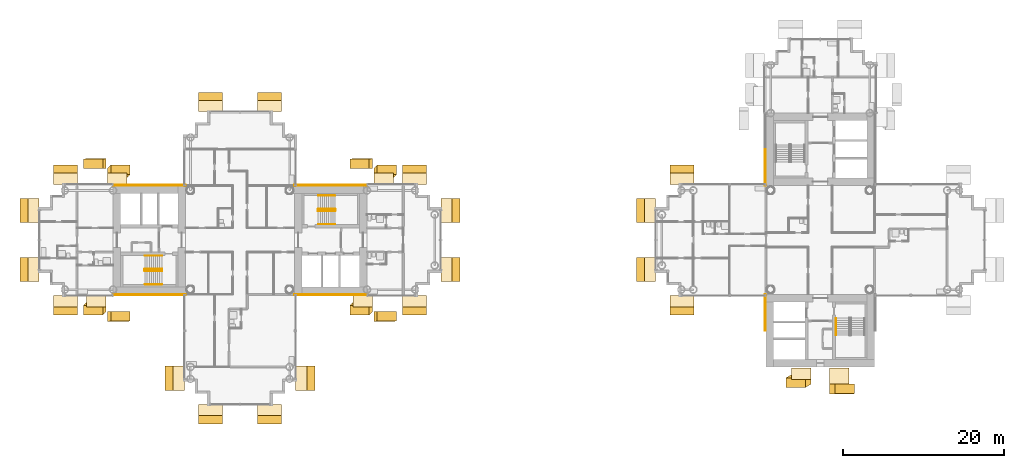
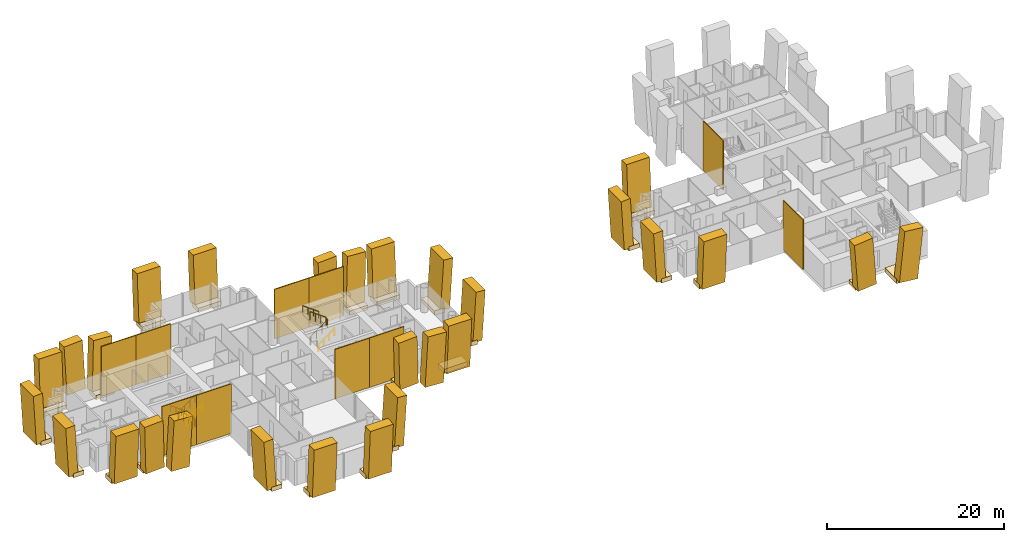
# One storey, part 19 of 21: 62 coverings, 7 railings.
"""IFC4 building model written with IfcOpenShell, lengths in metres."""

from ifc_helpers import new_model, si_unit, direction, frame, origin, origin_2d, place, context, subcontext, project, spatial, rectangle, circle, extrude, material, layer, layer_set, material_profile, profile_set, type_object, element, save


model = new_model("IFC4")

# Units and contexts
model_context = context("Model", 3, precision=1e-05, world=origin(), true_north=direction((0.0, 1.0)))
body_context = subcontext(model_context, "Body", "Model", "MODEL_VIEW")
ifc_project = project(units=[si_unit("LENGTHUNIT", "METRE"), si_unit("AREAUNIT", "SQUARE_METRE"), si_unit("VOLUMEUNIT", "CUBIC_METRE"), si_unit("PLANEANGLEUNIT", "RADIAN"), si_unit("MASSUNIT", "GRAM", prefix="KILO")], contexts=[model_context])

# Site, building, storey
site_placement = place(None, origin())
site = spatial("IfcSite", under=ifc_project, at=site_placement, CompositionType="ELEMENT")
building_placement = place(site_placement, origin())
building = spatial("IfcBuilding", under=site, at=building_placement, Name="Ipe Terrace Towers", CompositionType="ELEMENT")
storey_placement = place(building_placement, frame((0.0, 0.0, 114.0)))
storey = spatial("IfcBuildingStorey", under=building, at=storey_placement, Name="L31", CompositionType="ELEMENT", Elevation=114.0)

# Coverings
ifc_material_1 = material(Name="Concrete C50/60 precast, buff finish", Category="concrete")
ifc_layer = layer(ifc_material_1, 0.1201171875)
ifc_layer_set = layer_set([ifc_layer], Name="STONE CORE CLADDING 120")
covering_type_1 = type_object("IfcCoveringType", Name="STONE CORE CLADDING 120", PredefinedType="CLADDING", material=ifc_layer_set)
covering_1_placement = place(storey_placement, frame((-49.5009765625, -6.81005859375, 0.0), z_axis=(0.0, 0.0, 1.0), x_axis=(1.0, 0.0, 0.0)))
element("IfcCovering", 1, at=covering_1_placement, inside=storey, type_object=covering_type_1, Name="stone core cladding", PredefinedType="CLADDING", context=body_context, shape_type="SweptSolid", body=[
    extrude(rectangle(XDim=4.5009765625, YDim=0.1201171875, at=origin_2d()), origin(), (0.0, 0.0, 1.0), 6.800048828125),
])
covering_2_placement = place(storey_placement, frame((-45.0, -6.81005859375, 0.0), z_axis=(0.0, 0.0, 1.0), x_axis=(1.0, 0.0, 0.0)))
element("IfcCovering", 2, at=covering_2_placement, inside=storey, type_object=covering_type_1, Name="stone core cladding", PredefinedType="CLADDING", context=body_context, shape_type="SweptSolid", body=[
    extrude(rectangle(XDim=4.5, YDim=0.1201171875, at=origin_2d()), origin(), (0.0, 0.0, 1.0), 6.800048828125),
])
covering_3_placement = place(storey_placement, frame((-49.5009765625, 6.81005859375, 0.0), z_axis=(0.0, 0.0, 1.0), x_axis=(-1.0, 0.0, 0.0)))
element("IfcCovering", 3, at=covering_3_placement, inside=storey, type_object=covering_type_1, Name="stone core cladding", PredefinedType="CLADDING", context=body_context, shape_type="SweptSolid", body=[
    extrude(rectangle(XDim=4.5009765625, YDim=0.1201171875, at=origin_2d()), origin(), (0.0, 0.0, 1.0), 6.800048828125),
])
for number, where, z_axis, x_axis, name in (
    (4, (-45.0, 6.81005859375, 0.0), (0.0, 0.0, 1.0), (-1.0, 0.0, 0.0), "stone core cladding"),
    (5, (-27.0, -6.81005859375, 0.0), (0.0, 0.0, 1.0), (1.0, 0.0, 0.0), "stone core cladding"),
):
    element("IfcCovering", number, at=place(storey_placement, frame(where, z_axis=z_axis, x_axis=x_axis)), inside=storey, type_object=covering_type_1, Name=name, PredefinedType="CLADDING", context=body_context, shape_type="SweptSolid", body=[
        extrude(rectangle(XDim=4.5, YDim=0.1201171875, at=origin_2d()), origin(), (0.0, 0.0, 1.0), 6.800048828125),
    ])
covering_4_placement = place(storey_placement, frame((-22.4990234375, -6.81005859375, 0.0), z_axis=(0.0, 0.0, 1.0), x_axis=(1.0, 0.0, 0.0)))
element("IfcCovering", 6, at=covering_4_placement, inside=storey, type_object=covering_type_1, Name="stone core cladding", PredefinedType="CLADDING", context=body_context, shape_type="SweptSolid", body=[
    extrude(rectangle(XDim=4.5009765625, YDim=0.1201171875, at=origin_2d()), origin(), (0.0, 0.0, 1.0), 6.800048828125),
])
covering_5_placement = place(storey_placement, frame((-27.0, 6.81005859375, 0.0), z_axis=(0.0, 0.0, 1.0), x_axis=(-1.0, 0.0, 0.0)))
element("IfcCovering", 7, at=covering_5_placement, inside=storey, type_object=covering_type_1, Name="stone core cladding", PredefinedType="CLADDING", context=body_context, shape_type="SweptSolid", body=[
    extrude(rectangle(XDim=4.5, YDim=0.1201171875, at=origin_2d()), origin(), (0.0, 0.0, 1.0), 6.800048828125),
])
covering_6_placement = place(storey_placement, frame((-22.4990234375, 6.81005859375, 0.0), z_axis=(0.0, 0.0, 1.0), x_axis=(-1.0, 0.0, 0.0)))
element("IfcCovering", 8, at=covering_6_placement, inside=storey, type_object=covering_type_1, Name="stone core cladding", PredefinedType="CLADDING", context=body_context, shape_type="SweptSolid", body=[
    extrude(rectangle(XDim=4.5009765625, YDim=0.1201171875, at=origin_2d()), origin(), (0.0, 0.0, 1.0), 6.800048828125),
])
for number, where, z_axis, x_axis, name in (
    (9, (29.18994140625, -9.0, 0.0), (0.0, 0.0, 1.0), (0.0, -1.0, 0.0), "stone core cladding"),
    (10, (29.18994140625, 9.0, 0.0), (0.0, 0.0, 1.0), (0.0, -1.0, 0.0), "stone core cladding"),
):
    element("IfcCovering", number, at=place(storey_placement, frame(where, z_axis=z_axis, x_axis=x_axis)), inside=storey, type_object=covering_type_1, Name=name, PredefinedType="CLADDING", context=body_context, shape_type="SweptSolid", body=[
        extrude(rectangle(XDim=4.5, YDim=0.1201171875, at=origin_2d()), origin(), (0.0, 0.0, 1.0), 6.800048828125),
    ])
ifc_material_2 = material(Name="Concrete C50/60 precast, buff finish", Category="concrete")
ifc_material_profile_1 = material_profile(ifc_material_2, rectangle(XDim=2.39990234375, YDim=1.199951171875, at=origin_2d()), Name="STONE FIN 2400 x 1200")
ifc_profile_set_1 = profile_set([ifc_material_profile_1], Name="Concrete C50/60 precast, buff finish")
covering_type_2 = type_object("IfcCoveringType", Name="STONE FIN 2400 x 1200", PredefinedType="USERDEFINED", material=ifc_profile_set_1)
covering_7_placement = place(storey_placement, frame((-18.180908203125, -9.488037109375, 0.0), z_axis=(0.057992818801, 0.00189964116, 0.998315192878), x_axis=(0.99831700024, -0.000110351273, -0.057992713811)))
element("IfcCovering", 11, at=covering_7_placement, inside=storey, type_object=covering_type_2, Name="stone fin", ObjectType="FIN", PredefinedType="USERDEFINED", context=body_context, shape_type="SweptSolid", body=[
    extrude(rectangle(XDim=2.39990234375, YDim=1.199951171875, at=origin_2d()), origin(), (0.0, 0.0, 1.0), 6.8115234375),
])
for number, where, z_axis, x_axis, name in (
    (12, (-18.180908203125, 8.2880859375, 0.0), (0.057886195725, 0.060640977599, 0.996479733954), (-0.998323188324, 0.003516171448, 0.057779305931), "stone fin"),
    (13, (-20.76904296875, -8.2880859375, 0.0), (-0.057886195725, -0.060640977599, 0.996479733954), (0.998323188324, -0.003516171448, 0.057779305931), "stone fin"),
):
    element("IfcCovering", number, at=place(storey_placement, frame(where, z_axis=z_axis, x_axis=x_axis)), inside=storey, type_object=covering_type_2, Name=name, ObjectType="FIN", PredefinedType="USERDEFINED", context=body_context, shape_type="SweptSolid", body=[
        extrude(rectangle(XDim=2.39990234375, YDim=1.199951171875, at=origin_2d()), origin(), (0.0, 0.0, 1.0), 6.823974609375),
    ])
for number, where, z_axis, x_axis, name in (
    (14, (-20.76904296875, 9.488037109375, 0.0), (-0.057992818801, -0.00189964116, 0.998315192878), (-0.99831700024, 0.000110351273, -0.057992713811), "stone fin"),
    (15, (-51.23095703125, -9.488037109375, 0.0), (0.057992818801, 0.00189964116, 0.998315192878), (0.99831700024, -0.000110351273, -0.057992713811), "stone fin"),
):
    element("IfcCovering", number, at=place(storey_placement, frame(where, z_axis=z_axis, x_axis=x_axis)), inside=storey, type_object=covering_type_2, Name=name, ObjectType="FIN", PredefinedType="USERDEFINED", context=body_context, shape_type="SweptSolid", body=[
        extrude(rectangle(XDim=2.39990234375, YDim=1.199951171875, at=origin_2d()), origin(), (0.0, 0.0, 1.0), 6.8115234375),
    ])
for number, where, z_axis, x_axis, name in (
    (16, (-51.23095703125, 8.2880859375, 0.0), (0.057886195725, 0.060640977599, 0.996479733954), (-0.998323188324, 0.003516171448, 0.057779305931), "stone fin"),
    (17, (-53.819091796875, -8.2880859375, 0.0), (-0.057886195725, -0.060640977599, 0.996479733954), (0.998323188324, -0.003516171448, 0.057779305931), "stone fin"),
):
    element("IfcCovering", number, at=place(storey_placement, frame(where, z_axis=z_axis, x_axis=x_axis)), inside=storey, type_object=covering_type_2, Name=name, ObjectType="FIN", PredefinedType="USERDEFINED", context=body_context, shape_type="SweptSolid", body=[
        extrude(rectangle(XDim=2.39990234375, YDim=1.199951171875, at=origin_2d()), origin(), (0.0, 0.0, 1.0), 6.823974609375),
    ])
covering_8_placement = place(storey_placement, frame((-53.819091796875, 9.488037109375, 0.0), z_axis=(-0.057992818801, -0.00189964116, 0.998315192878), x_axis=(-0.99831700024, 0.000110351273, -0.057992713811)))
element("IfcCovering", 18, at=covering_8_placement, inside=storey, type_object=covering_type_2, Name="stone fin", ObjectType="FIN", PredefinedType="USERDEFINED", context=body_context, shape_type="SweptSolid", body=[
    extrude(rectangle(XDim=2.39990234375, YDim=1.199951171875, at=origin_2d()), origin(), (0.0, 0.0, 1.0), 6.8115234375),
])
covering_9_placement = place(storey_placement, frame((33.659912109375, -17.2880859375, 0.0), z_axis=(-0.104215280631, -0.060412072732, 0.992718266555), x_axis=(0.994554762335, -0.006330331276, 0.104022841832)))
element("IfcCovering", 19, at=covering_9_placement, inside=storey, type_object=covering_type_2, Name="stone fin", ObjectType="FIN", PredefinedType="USERDEFINED", context=body_context, shape_type="SweptSolid", body=[
    extrude(rectangle(XDim=2.39990234375, YDim=1.199951171875, at=origin_2d()), origin(), (0.0, 0.0, 1.0), 6.849853515625),
])
covering_10_placement = place(storey_placement, frame((38.340087890625, -18.488037109375, 0.0), z_axis=(0.104405788816, 0.001892444189, 0.994532980809), x_axis=(0.994534781323, -0.000198667893, -0.104405599799)))
element("IfcCovering", 20, at=covering_10_placement, inside=storey, type_object=covering_type_2, Name="stone fin", ObjectType="FIN", PredefinedType="USERDEFINED", context=body_context, shape_type="SweptSolid", body=[
    extrude(rectangle(XDim=2.39990234375, YDim=1.199951171875, at=origin_2d()), origin(), (0.0, 0.0, 1.0), 6.83740234375),
])
ifc_material_3 = material(Name="Concrete C50/60 precast, buff finish", Category="concrete")
ifc_material_profile_2 = material_profile(ifc_material_3, rectangle(XDim=3.0, YDim=1.199951171875, at=origin_2d()), Name="STONE FIN CORNER 3000 x 1200")
ifc_profile_set_2 = profile_set([ifc_material_profile_2], Name="Concrete C50/60 precast, buff finish")
covering_type_3 = type_object("IfcCoveringType", Name="STONE FIN CORNER 3000 x 1200", PredefinedType="USERDEFINED", material=ifc_profile_set_2)
for number, where, z_axis, x_axis, name in (
    (21, (-9.7119140625, -3.64990234375, 0.0), (0.060742831888, 0.0, 0.998153449312), (0.0, 1.0, 0.0), "stone fin"),
    (22, (-9.7119140625, 3.64990234375, 0.0), (0.060742831888, 0.0, 0.998153449312), (0.0, 1.0, 0.0), "stone fin"),
    (23, (-14.35009765625, -8.2880859375, 0.0), (0.0, -0.060742831888, 0.998153449312), (1.0, 0.0, 0.0), "stone fin"),
    (24, (-14.35009765625, 8.2880859375, 0.0), (0.0, 0.060742831888, 0.998153449312), (-1.0, 0.0, 0.0), "stone fin"),
    (25, (-27.7119140625, -17.14990234375, 0.0), (0.060742831888, 0.0, 0.998153449312), (0.0, 1.0, 0.0), "stone fin"),
    (26, (-32.35009765625, -21.7880859375, 0.0), (0.0, -0.060742831888, 0.998153449312), (1.0, 0.0, 0.0), "stone fin"),
    (27, (-32.35009765625, 17.2880859375, 0.0), (0.0, 0.060742831888, 0.998153449312), (-1.0, 0.0, 0.0), "stone fin"),
    (28, (-39.64990234375, -21.7880859375, 0.0), (0.0, -0.060742831888, 0.998153449312), (1.0, 0.0, 0.0), "stone fin"),
    (29, (-39.64990234375, 17.2880859375, 0.0), (0.0, 0.060742831888, 0.998153449312), (-1.0, 0.0, 0.0), "stone fin"),
    (30, (-44.2880859375, -17.14990234375, 0.0), (-0.060742831888, 0.0, 0.998153449312), (0.0, -1.0, 0.0), "stone fin"),
    (31, (-57.64990234375, -8.2880859375, 0.0), (0.0, -0.060742831888, 0.998153449312), (1.0, 0.0, 0.0), "stone fin"),
    (32, (-57.64990234375, 8.2880859375, 0.0), (0.0, 0.060742831888, 0.998153449312), (-1.0, 0.0, 0.0), "stone fin"),
    (33, (-62.2880859375, -3.64990234375, 0.0), (-0.060742831888, 0.0, 0.998153449312), (0.0, -1.0, 0.0), "stone fin"),
    (34, (-62.2880859375, 3.64990234375, 0.0), (-0.060742831888, 0.0, 0.998153449312), (0.0, -1.0, 0.0), "stone fin"),
    (35, (14.2119140625, -3.64990234375, 0.0), (-0.060742831888, 0.0, 0.998153449312), (0.0, -1.0, 0.0), "stone fin"),
    (36, (14.2119140625, 3.64990234375, 0.0), (-0.060742831888, 0.0, 0.998153449312), (0.0, -1.0, 0.0), "stone fin"),
    (37, (18.85009765625, -8.2880859375, 0.0), (0.0, -0.060742831888, 0.998153449312), (1.0, 0.0, 0.0), "stone fin"),
    (38, (18.85009765625, 8.2880859375, 0.0), (0.0, 0.060742831888, 0.998153449312), (-1.0, 0.0, 0.0), "stone fin"),
):
    element("IfcCovering", number, at=place(storey_placement, frame(where, z_axis=z_axis, x_axis=x_axis)), inside=storey, type_object=covering_type_3, Name=name, ObjectType="FIN", PredefinedType="USERDEFINED", context=body_context, shape_type="SweptSolid", body=[
        extrude(rectangle(XDim=3.0, YDim=1.199951171875, at=origin_2d()), origin(), (0.0, 0.0, 1.0), 6.812744140625),
    ])
ifc_material_4 = material(Name="Concrete C50/60 precast, buff finish", Category="concrete")
covering_type_4 = type_object("IfcCoveringType", Name="STONE FIN SHELF 2400 x 600", PredefinedType="CLADDING", material=ifc_material_4)
covering_11_placement = place(storey_placement, frame((-18.180908203125, 7.60205078125, -0.35009765625), z_axis=(0.0, 0.0, 1.0), x_axis=(-1.0, 0.0, 0.0)))
element("IfcCovering", 39, at=covering_11_placement, inside=storey, type_object=covering_type_4, Name="stone fin shelf", PredefinedType="CLADDING", context=body_context, shape_type="SweptSolid", body=[
    extrude(rectangle(XDim=2.39990234375, YDim=1.3720703125, at=origin_2d()), origin(), (0.0, 0.0, 1.0), 0.60009765625),
])
for number, where, z_axis, x_axis, name in (
    (40, (-20.76904296875, -7.573974609375, -0.35009765625), (0.0, 0.0, 1.0), (1.0, 0.0, 0.0), "stone fin shelf"),
    (41, (-51.23095703125, 7.573974609375, -0.35009765625), (0.0, 0.0, 1.0), (-1.0, 0.0, 0.0), "stone fin shelf"),
):
    element("IfcCovering", number, at=place(storey_placement, frame(where, z_axis=z_axis, x_axis=x_axis)), inside=storey, type_object=covering_type_4, Name=name, PredefinedType="CLADDING", context=body_context, shape_type="SweptSolid", body=[
        extrude(rectangle(XDim=2.39990234375, YDim=1.427978515625, at=origin_2d()), origin(), (0.0, 0.0, 1.0), 0.60009765625),
    ])
covering_12_placement = place(storey_placement, frame((-53.819091796875, -7.60205078125, -0.35009765625), z_axis=(0.0, 0.0, 1.0), x_axis=(1.0, 0.0, 0.0)))
element("IfcCovering", 42, at=covering_12_placement, inside=storey, type_object=covering_type_4, Name="stone fin shelf", PredefinedType="CLADDING", context=body_context, shape_type="SweptSolid", body=[
    extrude(rectangle(XDim=2.39990234375, YDim=1.3720703125, at=origin_2d()), origin(), (0.0, 0.0, 1.0), 0.60009765625),
])
covering_13_placement = place(storey_placement, frame((33.659912109375, -16.573974609375, -0.35009765625), z_axis=(0.0, 0.0, 1.0), x_axis=(1.0, 0.0, 0.0)))
element("IfcCovering", 43, at=covering_13_placement, inside=storey, type_object=covering_type_4, Name="stone fin shelf", PredefinedType="CLADDING", context=body_context, shape_type="SweptSolid", body=[
    extrude(rectangle(XDim=2.39990234375, YDim=1.427978515625, at=origin_2d()), origin(), (0.0, 0.0, 1.0), 0.60009765625),
])
covering_14_placement = place(storey_placement, frame((38.340087890625, -17.174072265625, -0.35009765625), z_axis=(0.0, 0.0, 1.0), x_axis=(1.0, 0.0, 0.0)))
element("IfcCovering", 44, at=covering_14_placement, inside=storey, type_object=covering_type_4, Name="stone fin shelf", PredefinedType="CLADDING", context=body_context, shape_type="SweptSolid", body=[
    extrude(rectangle(XDim=2.39990234375, YDim=2.6279296875, at=origin_2d()), origin(), (0.0, 0.0, 1.0), 0.60009765625),
])
ifc_material_5 = material(Name="Concrete C50/60 precast, buff finish", Category="concrete")
covering_type_5 = type_object("IfcCoveringType", Name="STONE FIN SHELF 3000 x 600", PredefinedType="CLADDING", material=ifc_material_5)
for number, where, z_axis, x_axis, name in (
    (45, (-10.39794921875, -3.64990234375, -0.35009765625), (0.0, 0.0, 1.0), (0.0, 1.0, 0.0), "stone fin shelf"),
    (46, (-10.39794921875, 3.64990234375, -0.35009765625), (0.0, 0.0, 1.0), (0.0, 1.0, 0.0), "stone fin shelf"),
    (47, (-14.35009765625, -7.60205078125, -0.35009765625), (0.0, 0.0, 1.0), (1.0, 0.0, 0.0), "stone fin shelf"),
    (48, (-14.35009765625, 7.60205078125, -0.35009765625), (0.0, 0.0, 1.0), (-1.0, 0.0, 0.0), "stone fin shelf"),
    (49, (-28.39794921875, -17.14990234375, -0.35009765625), (0.0, 0.0, 1.0), (0.0, 1.0, 0.0), "stone fin shelf"),
    (50, (-32.35009765625, -21.10205078125, -0.35009765625), (0.0, 0.0, 1.0), (1.0, 0.0, 0.0), "stone fin shelf"),
    (51, (-32.35009765625, 16.60205078125, -0.35009765625), (0.0, 0.0, 1.0), (-1.0, 0.0, 0.0), "stone fin shelf"),
    (52, (-39.64990234375, -21.10205078125, -0.35009765625), (0.0, 0.0, 1.0), (1.0, 0.0, 0.0), "stone fin shelf"),
    (53, (-39.64990234375, 16.60205078125, -0.35009765625), (0.0, 0.0, 1.0), (-1.0, 0.0, 0.0), "stone fin shelf"),
    (54, (-43.60205078125, -17.14990234375, -0.35009765625), (0.0, 0.0, 1.0), (0.0, -1.0, 0.0), "stone fin shelf"),
    (55, (-57.64990234375, -7.60205078125, -0.35009765625), (0.0, 0.0, 1.0), (1.0, 0.0, 0.0), "stone fin shelf"),
    (56, (-57.64990234375, 7.60205078125, -0.35009765625), (0.0, 0.0, 1.0), (-1.0, 0.0, 0.0), "stone fin shelf"),
    (57, (-61.60205078125, -3.64990234375, -0.35009765625), (0.0, 0.0, 1.0), (0.0, -1.0, 0.0), "stone fin shelf"),
    (58, (-61.60205078125, 3.64990234375, -0.35009765625), (0.0, 0.0, 1.0), (0.0, -1.0, 0.0), "stone fin shelf"),
    (59, (14.89794921875, -3.64990234375, -0.35009765625), (0.0, 0.0, 1.0), (0.0, -1.0, 0.0), "stone fin shelf"),
    (60, (14.89794921875, 3.64990234375, -0.35009765625), (0.0, 0.0, 1.0), (0.0, -1.0, 0.0), "stone fin shelf"),
    (61, (18.85009765625, -7.60205078125, -0.35009765625), (0.0, 0.0, 1.0), (1.0, 0.0, 0.0), "stone fin shelf"),
    (62, (18.85009765625, 7.60205078125, -0.35009765625), (0.0, 0.0, 1.0), (-1.0, 0.0, 0.0), "stone fin shelf"),
):
    element("IfcCovering", number, at=place(storey_placement, frame(where, z_axis=z_axis, x_axis=x_axis)), inside=storey, type_object=covering_type_5, Name=name, PredefinedType="CLADDING", context=body_context, shape_type="SweptSolid", body=[
        extrude(rectangle(XDim=3.0, YDim=1.3720703125, at=origin_2d()), origin(), (0.0, 0.0, 1.0), 0.60009765625),
    ])

# Railings
ifc_material_6 = material(Name="Steel S355", Category="steel")
railing_type_1 = type_object("IfcRailingType", Name="Stair guard 1100", PredefinedType="GUARDRAIL", material=ifc_material_6)
railing_1_placement = place(storey_placement, frame((-26.35009765625, 3.800048828125, 0.0)))
element("IfcRailing", 63, at=railing_1_placement, inside=storey, type_object=railing_type_1, Name="L31 T1-ST1 stair guard 1", PredefinedType="GUARDRAIL", context=body_context, shape_type="SweptSolid", body=[
    extrude(circle(Radius=0.02392578125, at=origin_2d()), frame((0.0, 0.0, 1.076171875), z_axis=(0.0, -1.0, 0.0), x_axis=(1.0, 0.0, 0.0)), (0.0, 0.0, 1.0), 0.150146484375),
    extrude(circle(Radius=0.02392578125, at=origin_2d()), frame((0.0, -0.150146484375, 1.076171875), z_axis=(0.248103849378, -0.246893586699, 0.936743314239), x_axis=(0.705375805398, 0.708833529934, 0.0)), (0.0, 0.0, 1.0), 0.20166015625),
    extrude(circle(Radius=0.02392578125, at=origin_2d()), frame((0.050048828125, -0.199951171875, 1.26513671875), z_axis=(0.809068575486, 0.0, 0.587714250432), x_axis=(0.0, 1.0, 0.0)), (0.0, 0.0, 1.0), 2.571044921875),
    extrude(circle(Radius=0.02392578125, at=origin_2d()), frame((2.130126953125, -0.199951171875, 2.77587890625), z_axis=(0.708833529934, 0.705375805398, 0.0), x_axis=(-0.705375805398, 0.708833529934, 0.0)), (0.0, 0.0, 1.0), 0.070556640625),
    extrude(circle(Radius=0.02392578125, at=origin_2d()), frame((2.18017578125, -0.150146484375, 2.77587890625), z_axis=(0.0, 1.0, 0.0), x_axis=(-1.0, 0.0, 0.0)), (0.0, 0.0, 1.0), 0.150146484375),
    extrude(circle(Radius=0.02392578125, at=origin_2d()), frame((2.18017578125, 0.0, 2.77587890625), z_axis=(-0.248029566107, 0.248029566107, 0.936462849596), x_axis=(-0.707106781187, -0.707106781187, 0.0)), (0.0, 0.0, 1.0), 0.201904296875),
    extrude(circle(Radius=0.02392578125, at=origin_2d()), frame((2.130126953125, 0.050048828125, 2.96484375), z_axis=(-0.809068575486, 0.0, 0.587714250432), x_axis=(0.0, -1.0, 0.0)), (0.0, 0.0, 1.0), 2.571044921875),
    extrude(circle(Radius=0.02099609375, at=origin_2d()), origin(), (0.0, 0.0, 1.0), 1.052001953125),
    extrude(circle(Radius=0.02099609375, at=origin_2d()), frame((0.0, -0.150146484375, 0.0)), (0.0, 0.0, 1.0), 1.052001953125),
    extrude(circle(Radius=0.02099609375, at=origin_2d()), frame((0.050048828125, -0.199951171875, 0.18896484375)), (0.0, 0.0, 1.0), 1.052001953125),
    extrude(circle(Radius=0.02099609375, at=origin_2d()), frame((0.743408203125, -0.199951171875, 0.692626953125)), (0.0, 0.0, 1.0), 1.052001953125),
    extrude(circle(Radius=0.02099609375, at=origin_2d()), frame((1.436767578125, -0.199951171875, 1.1962890625)), (0.0, 0.0, 1.0), 1.052001953125),
    extrude(circle(Radius=0.02099609375, at=origin_2d()), frame((2.130126953125, -0.199951171875, 1.699951171875)), (0.0, 0.0, 1.0), 1.052001953125),
    extrude(circle(Radius=0.02099609375, at=origin_2d()), frame((2.18017578125, -0.150146484375, 1.699951171875)), (0.0, 0.0, 1.0), 1.052001953125),
    extrude(circle(Radius=0.02099609375, at=origin_2d()), frame((2.18017578125, 0.0, 1.699951171875)), (0.0, 0.0, 1.0), 1.052001953125),
    extrude(circle(Radius=0.02099609375, at=origin_2d()), frame((2.130126953125, 0.050048828125, 1.888916015625)), (0.0, 0.0, 1.0), 1.052001953125),
    extrude(circle(Radius=0.02099609375, at=origin_2d()), frame((1.436767578125, 0.050048828125, 2.392578125)), (0.0, 0.0, 1.0), 1.052001953125),
    extrude(circle(Radius=0.02099609375, at=origin_2d()), frame((0.743408203125, 0.050048828125, 2.896240234375)), (0.0, 0.0, 1.0), 1.052001953125),
    extrude(circle(Radius=0.02099609375, at=origin_2d()), frame((0.050048828125, 0.050048828125, 3.39990234375)), (0.0, 0.0, 1.0), 1.052001953125),
])
railing_2_placement = place(storey_placement, frame((-45.64990234375, -3.800048828125, 0.0)))
element("IfcRailing", 64, at=railing_2_placement, inside=storey, type_object=railing_type_1, Name="L31 T1-ST2 stair guard 1", PredefinedType="GUARDRAIL", context=body_context, shape_type="SweptSolid", body=[
    extrude(circle(Radius=0.02392578125, at=origin_2d()), frame((0.0, 0.0, 1.076171875), z_axis=(0.0, 1.0, 0.0), x_axis=(-1.0, 0.0, 0.0)), (0.0, 0.0, 1.0), 0.150146484375),
    extrude(circle(Radius=0.02392578125, at=origin_2d()), frame((0.0, 0.150146484375, 1.076171875), z_axis=(-0.248103849378, 0.246893586699, 0.936743314239), x_axis=(-0.705375805398, -0.708833529934, 0.0)), (0.0, 0.0, 1.0), 0.20166015625),
    extrude(circle(Radius=0.02392578125, at=origin_2d()), frame((-0.050048828125, 0.199951171875, 1.26513671875), z_axis=(-0.809068575486, 0.0, 0.587714250432), x_axis=(0.0, -1.0, 0.0)), (0.0, 0.0, 1.0), 2.571044921875),
    extrude(circle(Radius=0.02392578125, at=origin_2d()), frame((-2.130126953125, 0.199951171875, 2.77587890625), z_axis=(-0.708833529934, -0.705375805398, 0.0), x_axis=(0.705375805398, -0.708833529934, 0.0)), (0.0, 0.0, 1.0), 0.070556640625),
    extrude(circle(Radius=0.02392578125, at=origin_2d()), frame((-2.18017578125, 0.150146484375, 2.77587890625), z_axis=(0.0, -1.0, 0.0), x_axis=(1.0, 0.0, 0.0)), (0.0, 0.0, 1.0), 0.150146484375),
    extrude(circle(Radius=0.02392578125, at=origin_2d()), frame((-2.18017578125, 0.0, 2.77587890625), z_axis=(0.248029566107, -0.248029566107, 0.936462849596), x_axis=(0.707106781187, 0.707106781187, 0.0)), (0.0, 0.0, 1.0), 0.201904296875),
    extrude(circle(Radius=0.02392578125, at=origin_2d()), frame((-2.130126953125, -0.050048828125, 2.96484375), z_axis=(0.809068575486, 0.0, 0.587714250432), x_axis=(0.0, 1.0, 0.0)), (0.0, 0.0, 1.0), 2.571044921875),
    extrude(circle(Radius=0.02099609375, at=origin_2d()), origin(), (0.0, 0.0, 1.0), 1.052001953125),
    extrude(circle(Radius=0.02099609375, at=origin_2d()), frame((0.0, 0.150146484375, 0.0)), (0.0, 0.0, 1.0), 1.052001953125),
    extrude(circle(Radius=0.02099609375, at=origin_2d()), frame((-0.050048828125, 0.199951171875, 0.18896484375)), (0.0, 0.0, 1.0), 1.052001953125),
    extrude(circle(Radius=0.02099609375, at=origin_2d()), frame((-0.743408203125, 0.199951171875, 0.692626953125)), (0.0, 0.0, 1.0), 1.052001953125),
    extrude(circle(Radius=0.02099609375, at=origin_2d()), frame((-1.436767578125, 0.199951171875, 1.1962890625)), (0.0, 0.0, 1.0), 1.052001953125),
    extrude(circle(Radius=0.02099609375, at=origin_2d()), frame((-2.130126953125, 0.199951171875, 1.699951171875)), (0.0, 0.0, 1.0), 1.052001953125),
    extrude(circle(Radius=0.02099609375, at=origin_2d()), frame((-2.18017578125, 0.150146484375, 1.699951171875)), (0.0, 0.0, 1.0), 1.052001953125),
    extrude(circle(Radius=0.02099609375, at=origin_2d()), frame((-2.18017578125, 0.0, 1.699951171875)), (0.0, 0.0, 1.0), 1.052001953125),
    extrude(circle(Radius=0.02099609375, at=origin_2d()), frame((-2.130126953125, -0.050048828125, 1.888916015625)), (0.0, 0.0, 1.0), 1.052001953125),
    extrude(circle(Radius=0.02099609375, at=origin_2d()), frame((-1.436767578125, -0.050048828125, 2.392578125)), (0.0, 0.0, 1.0), 1.052001953125),
    extrude(circle(Radius=0.02099609375, at=origin_2d()), frame((-0.743408203125, -0.050048828125, 2.896240234375)), (0.0, 0.0, 1.0), 1.052001953125),
    extrude(circle(Radius=0.02099609375, at=origin_2d()), frame((-0.050048828125, -0.050048828125, 3.39990234375)), (0.0, 0.0, 1.0), 1.052001953125),
])
ifc_material_7 = material(Name="Stainless steel grade 304", Category="steel")
railing_type_2 = type_object("IfcRailingType", Name="Stair handrail 900", PredefinedType="HANDRAIL", material=ifc_material_7)
railing_3_placement = place(storey_placement, frame((-26.300048828125, 1.949951171875, 0.18896484375)))
element("IfcRailing", 65, at=railing_3_placement, inside=storey, type_object=railing_type_2, Name="L31 T1-ST1 stair handrail 1", PredefinedType="HANDRAIL", context=body_context, shape_type="SweptSolid", body=[
    extrude(circle(Radius=0.02392578125, at=origin_2d()), frame((0.0, 0.0, 0.8759765625), z_axis=(0.809068575486, 0.0, 0.587714250432), x_axis=(0.0, 1.0, 0.0)), (0.0, 0.0, 1.0), 2.571044921875),
    extrude(circle(Radius=0.02099609375, at=origin_2d()), origin(), (0.0, 0.0, 1.0), 0.851806640625),
    extrude(circle(Radius=0.02099609375, at=origin_2d()), frame((0.693359375, 0.0, 0.503662109375)), (0.0, 0.0, 1.0), 0.851806640625),
    extrude(circle(Radius=0.02099609375, at=origin_2d()), frame((1.38671875, 0.0, 1.00732421875)), (0.0, 0.0, 1.0), 0.851806640625),
    extrude(circle(Radius=0.02099609375, at=origin_2d()), frame((2.080078125, 0.0, 1.510986328125)), (0.0, 0.0, 1.0), 0.851806640625),
])
for number, where, name in (
    (66, (-24.219970703125, 5.5, 1.888916015625), "L31 T1-ST1 stair handrail 2"),
    (67, (-45.699951171875, -1.949951171875, 0.18896484375), "L31 T1-ST2 stair handrail 1"),
):
    element("IfcRailing", number, at=place(storey_placement, frame(where)), inside=storey, type_object=railing_type_2, Name=name, PredefinedType="HANDRAIL", context=body_context, shape_type="SweptSolid", body=[
        extrude(circle(Radius=0.02392578125, at=origin_2d()), frame((0.0, 0.0, 0.8759765625), z_axis=(-0.809068575486, 0.0, 0.587714250432), x_axis=(0.0, -1.0, 0.0)), (0.0, 0.0, 1.0), 2.571044921875),
        extrude(circle(Radius=0.02099609375, at=origin_2d()), origin(), (0.0, 0.0, 1.0), 0.851806640625),
        extrude(circle(Radius=0.02099609375, at=origin_2d()), frame((-0.693359375, 0.0, 0.503662109375)), (0.0, 0.0, 1.0), 0.851806640625),
        extrude(circle(Radius=0.02099609375, at=origin_2d()), frame((-1.38671875, 0.0, 1.00732421875)), (0.0, 0.0, 1.0), 0.851806640625),
        extrude(circle(Radius=0.02099609375, at=origin_2d()), frame((-2.080078125, 0.0, 1.510986328125)), (0.0, 0.0, 1.0), 0.851806640625),
    ])
railing_4_placement = place(storey_placement, frame((-47.780029296875, -5.5, 1.888916015625)))
element("IfcRailing", 68, at=railing_4_placement, inside=storey, type_object=railing_type_2, Name="L31 T1-ST2 stair handrail 2", PredefinedType="HANDRAIL", context=body_context, shape_type="SweptSolid", body=[
    extrude(circle(Radius=0.02392578125, at=origin_2d()), frame((0.0, 0.0, 0.8759765625), z_axis=(0.809068575486, 0.0, 0.587714250432), x_axis=(0.0, 1.0, 0.0)), (0.0, 0.0, 1.0), 2.571044921875),
    extrude(circle(Radius=0.02099609375, at=origin_2d()), origin(), (0.0, 0.0, 1.0), 0.851806640625),
    extrude(circle(Radius=0.02099609375, at=origin_2d()), frame((0.693359375, 0.0, 0.503662109375)), (0.0, 0.0, 1.0), 0.851806640625),
    extrude(circle(Radius=0.02099609375, at=origin_2d()), frame((1.38671875, 0.0, 1.00732421875)), (0.0, 0.0, 1.0), 0.851806640625),
    extrude(circle(Radius=0.02099609375, at=origin_2d()), frame((2.080078125, 0.0, 1.510986328125)), (0.0, 0.0, 1.0), 0.851806640625),
])
railing_5_placement = place(storey_placement, frame((37.949951171875, -9.699951171875, 0.18896484375)))
element("IfcRailing", 69, at=railing_5_placement, inside=storey, type_object=railing_type_2, Name="L31 T2-ST2 stair handrail 1", PredefinedType="HANDRAIL", context=body_context, shape_type="SweptSolid", body=[
    extrude(circle(Radius=0.02392578125, at=origin_2d()), frame((0.0, 0.0, 0.8759765625), z_axis=(0.0, -0.809068575486, 0.587714250432), x_axis=(1.0, 0.0, 0.0)), (0.0, 0.0, 1.0), 2.571044921875),
    extrude(circle(Radius=0.02099609375, at=origin_2d()), origin(), (0.0, 0.0, 1.0), 0.851806640625),
    extrude(circle(Radius=0.02099609375, at=origin_2d()), frame((0.0, -0.693359375, 0.503662109375)), (0.0, 0.0, 1.0), 0.851806640625),
    extrude(circle(Radius=0.02099609375, at=origin_2d()), frame((0.0, -1.38671875, 1.00732421875)), (0.0, 0.0, 1.0), 0.851806640625),
    extrude(circle(Radius=0.02099609375, at=origin_2d()), frame((0.0, -2.080078125, 1.510986328125)), (0.0, 0.0, 1.0), 0.851806640625),
])

save(model, "model.ifc")
